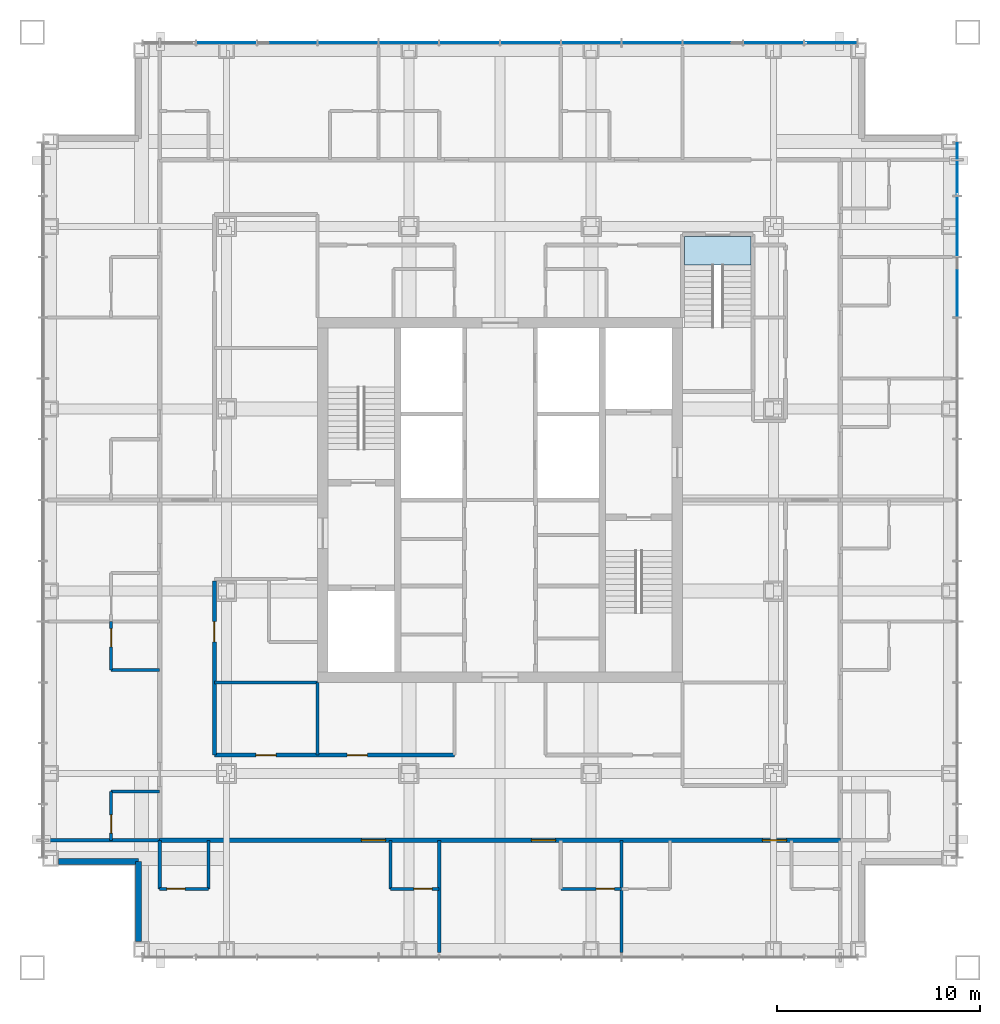
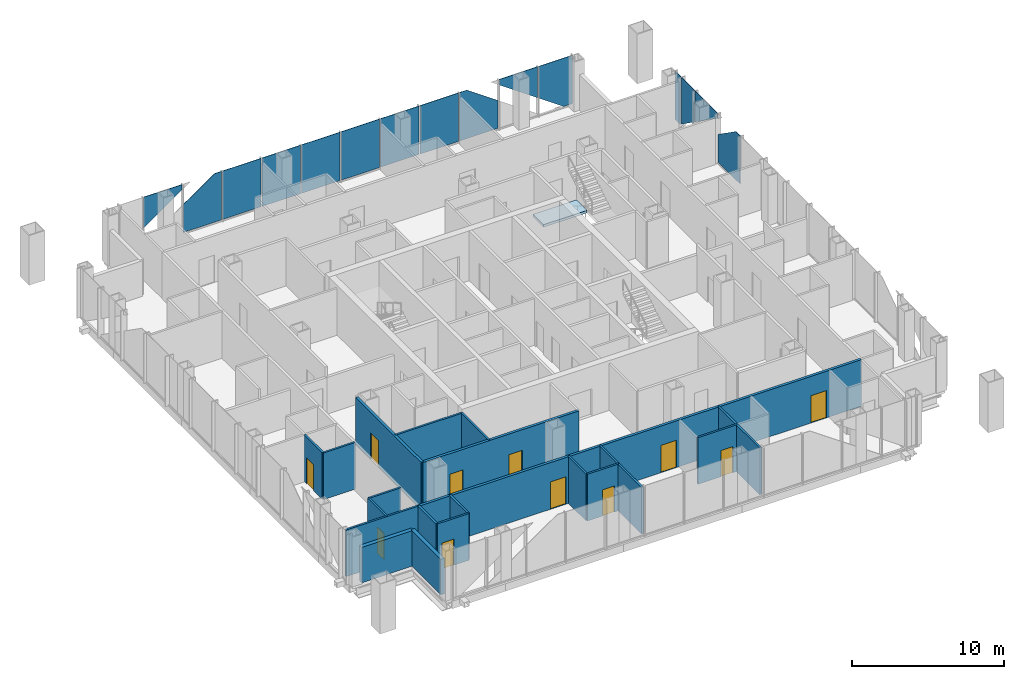
# One storey, part 6 of 15: 20 walls, 15 plates, 11 doors, 1 slab, 11 openings, 3 elements without a shape of their own.
"""IFC4 building model written with IfcOpenShell, lengths in metres."""

from ifc_helpers import new_model, si_unit, direction, frame, frame_2d, origin, origin_2d, place, context, subcontext, project, spatial, polyline, rectangle, outline, extrude, material, layer, layer_set, type_object, element, fill, aggregate, save


model = new_model("IFC4")

# Units and contexts
model_context = context("Model", 3, precision=1e-05, world=origin(), true_north=direction((0.0, 1.0)))
body_context = subcontext(model_context, "Body", "Model", "MODEL_VIEW")
ifc_project = project(units=[si_unit("LENGTHUNIT", "METRE"), si_unit("AREAUNIT", "SQUARE_METRE"), si_unit("VOLUMEUNIT", "CUBIC_METRE"), si_unit("PLANEANGLEUNIT", "RADIAN"), si_unit("MASSUNIT", "GRAM", prefix="KILO")], contexts=[model_context])

# Site, building, storey
site_placement = place(None, origin())
site = spatial("IfcSite", under=ifc_project, at=site_placement, CompositionType="ELEMENT")
building_placement = place(site_placement, origin())
building = spatial("IfcBuilding", under=site, at=building_placement, Name="Malebo Sky Hospital", CompositionType="ELEMENT")
storey_placement = place(building_placement, frame((0.0, 0.0, 181.0)))
storey = spatial("IfcBuildingStorey", under=building, at=storey_placement, Name="L43", CompositionType="ELEMENT", Elevation=181.0)

# Stair, slab
ifc_material_1 = material(Name="Concrete C40/50", Category="concrete")
stair_type = type_object("IfcStairType", Name="HALF-TURN STAIR 1400 R167", PredefinedType="HALF_TURN_STAIR", material=ifc_material_1)
stair_placement = place(storey_placement, origin())
stair = element("IfcStair", 1, at=stair_placement, inside=storey, type_object=stair_type, Name="Stair S3 L43 type ST1B", PredefinedType="HALF_TURN_STAIR")
ifc_layer_1 = layer(ifc_material_1, 0.199951171875)
ifc_layer_set_1 = layer_set([ifc_layer_1], Name="STAIR LANDING 200")
slab_type = type_object("IfcSlabType", Name="STAIR LANDING 200", PredefinedType="LANDING", material=ifc_layer_set_1)
slab_placement = place(storey_placement, frame((0.0, 0.0, -0.199951171875)))
slab = element("IfcSlab", 2, at=slab_placement, type_object=slab_type, Name="S3 landing 1", PredefinedType="LANDING", context=body_context, shape_type="SweptSolid", body=[
    extrude(outline(polyline([(69.10009765625, 73.60009765625), (72.39990234375, 73.60009765625), (72.39990234375, 75.0), (69.10009765625, 75.0), (69.10009765625, 73.60009765625)])), origin(), (0.0, 0.0, 1.0), 0.199951171875),
])
aggregate(stair, [slab])

# Curtain wall, plates
ifc_material_2 = material(Name="Anodised aluminium, natural silver", Category="aluminium")
ifc_layer_2 = layer(ifc_material_2, 0.25)
ifc_layer_set_2 = layer_set([ifc_layer_2], Name="WARD CURTAIN WALL NORTH AND SOUTH")
curtain_wall_type_1 = type_object("IfcCurtainWallType", Name="WARD CURTAIN WALL NORTH AND SOUTH", PredefinedType="NOTDEFINED", material=ifc_layer_set_2)
curtain_wall_1_placement = place(storey_placement, origin())
curtain_wall_1 = element("IfcCurtainWall", 3, at=curtain_wall_1_placement, inside=storey, type_object=curtain_wall_type_1, Name="NS curtain wall N", PredefinedType="NOTDEFINED")
ifc_material_3 = material(Name="Clear low-iron double glazing", Category="glass")
ifc_layer_3 = layer(ifc_material_3, 0.031982421875)
ifc_layer_set_3 = layer_set([ifc_layer_3], Name="VISION PANEL CLEAR 32")
plate_type = type_object("IfcPlateType", Name="VISION PANEL CLEAR 32", PredefinedType="CURTAIN_PANEL", material=ifc_layer_set_3)
plate_1_placement = place(storey_placement, frame((46.5, 84.574951171875, 1.5078125), z_axis=(0.0, 0.0, 1.0), x_axis=(1.0, 0.0, 0.0)))
plate_1 = element("IfcPlate", 4, at=plate_1_placement, type_object=plate_type, Name="Panel 3", PredefinedType="CURTAIN_PANEL", context=body_context, shape_type="SweptSolid", body=[
    extrude(outline(polyline([(-1.46240234375, 0.0), (1.46240234375, 2.054443359375), (1.46240234375, 2.482177734375), (-1.46240234375, 2.482177734375), (-1.46240234375, 0.0)])), frame((0.0, 0.01611328125, 0.0), z_axis=(0.0, -1.0, 0.0), x_axis=(1.0, 0.0, 0.0)), (0.0, 0.0, 1.0), 0.031982421875),
])
plate_2_placement = place(storey_placement, frame((49.5, 84.574951171875, 0.10009765625), z_axis=(0.0, 0.0, 1.0), x_axis=(1.0, 0.0, 0.0)))
plate_2 = element("IfcPlate", 5, at=plate_2_placement, type_object=plate_type, Name="Panel 4", PredefinedType="CURTAIN_PANEL", context=body_context, shape_type="SweptSolid", body=[
    extrude(outline(polyline([(-1.46240234375, 0.0), (1.46240234375, 0.0), (1.46240234375, 3.889892578125), (0.900146484375, 3.889892578125), (-1.46240234375, 2.230712890625), (-1.46240234375, 0.0)])), frame((0.0, 0.01611328125, 0.0), z_axis=(0.0, -1.0, 0.0), x_axis=(1.0, 0.0, 0.0)), (0.0, 0.0, 1.0), 0.031982421875),
])
plate_3_placement = place(storey_placement, frame((52.5, 84.574951171875, 0.10009765625), z_axis=(0.0, 0.0, 1.0), x_axis=(1.0, 0.0, 0.0)))
plate_3 = element("IfcPlate", 6, at=plate_3_placement, type_object=plate_type, Name="Panel 5", PredefinedType="CURTAIN_PANEL", context=body_context, shape_type="SweptSolid", body=[
    extrude(rectangle(XDim=2.925048828125, YDim=0.031982421875, at=origin_2d()), origin(), (0.0, 0.0, 1.0), 3.889892578125),
])
plate_4_placement = place(storey_placement, frame((55.5, 84.574951171875, 0.10009765625), z_axis=(0.0, 0.0, 1.0), x_axis=(1.0, 0.0, 0.0)))
plate_4 = element("IfcPlate", 7, at=plate_4_placement, type_object=plate_type, Name="Panel 6", PredefinedType="CURTAIN_PANEL", context=body_context, shape_type="SweptSolid", body=[
    extrude(rectangle(XDim=2.925048828125, YDim=0.031982421875, at=origin_2d()), origin(), (0.0, 0.0, 1.0), 3.889892578125),
])
plate_5_placement = place(storey_placement, frame((58.5, 84.574951171875, 0.10009765625), z_axis=(0.0, 0.0, 1.0), x_axis=(1.0, 0.0, 0.0)))
plate_5 = element("IfcPlate", 8, at=plate_5_placement, type_object=plate_type, Name="Panel 7", PredefinedType="CURTAIN_PANEL", context=body_context, shape_type="SweptSolid", body=[
    extrude(rectangle(XDim=2.925048828125, YDim=0.031982421875, at=origin_2d()), origin(), (0.0, 0.0, 1.0), 3.889892578125),
])
plate_6_placement = place(storey_placement, frame((61.5, 84.574951171875, 0.10009765625), z_axis=(0.0, 0.0, 1.0), x_axis=(1.0, 0.0, 0.0)))
plate_6 = element("IfcPlate", 9, at=plate_6_placement, type_object=plate_type, Name="Panel 8", PredefinedType="CURTAIN_PANEL", context=body_context, shape_type="SweptSolid", body=[
    extrude(rectangle(XDim=2.925048828125, YDim=0.031982421875, at=origin_2d()), origin(), (0.0, 0.0, 1.0), 3.889892578125),
])
plate_7_placement = place(storey_placement, frame((64.5, 84.574951171875, 0.10009765625), z_axis=(0.0, 0.0, 1.0), x_axis=(1.0, 0.0, 0.0)))
plate_7 = element("IfcPlate", 10, at=plate_7_placement, type_object=plate_type, Name="Panel 9", PredefinedType="CURTAIN_PANEL", context=body_context, shape_type="SweptSolid", body=[
    extrude(rectangle(XDim=2.925048828125, YDim=0.031982421875, at=origin_2d()), origin(), (0.0, 0.0, 1.0), 3.889892578125),
])
plate_8_placement = place(storey_placement, frame((67.5, 84.574951171875, 0.10009765625), z_axis=(0.0, 0.0, 1.0), x_axis=(1.0, 0.0, 0.0)))
plate_8 = element("IfcPlate", 11, at=plate_8_placement, type_object=plate_type, Name="Panel 10", PredefinedType="CURTAIN_PANEL", context=body_context, shape_type="SweptSolid", body=[
    extrude(rectangle(XDim=2.925048828125, YDim=0.031982421875, at=origin_2d()), origin(), (0.0, 0.0, 1.0), 3.889892578125),
])
plate_9_placement = place(storey_placement, frame((70.5, 84.574951171875, 0.10009765625), z_axis=(0.0, 0.0, 1.0), x_axis=(1.0, 0.0, 0.0)))
plate_9 = element("IfcPlate", 12, at=plate_9_placement, type_object=plate_type, Name="Panel 11", PredefinedType="CURTAIN_PANEL", context=body_context, shape_type="SweptSolid", body=[
    extrude(outline(polyline([(-1.46240234375, 0.0), (1.46240234375, 0.0), (1.46240234375, 2.230712890625), (-0.900146484375, 3.889892578125), (-1.46240234375, 3.889892578125), (-1.46240234375, 0.0)])), frame((0.0, 0.01611328125, 0.0), z_axis=(0.0, -1.0, 0.0), x_axis=(1.0, 0.0, 0.0)), (0.0, 0.0, 1.0), 0.031982421875),
])
plate_10_placement = place(storey_placement, frame((73.5, 84.574951171875, 1.5078125), z_axis=(0.0, 0.0, 1.0), x_axis=(1.0, 0.0, 0.0)))
plate_10 = element("IfcPlate", 13, at=plate_10_placement, type_object=plate_type, Name="Panel 12", PredefinedType="CURTAIN_PANEL", context=body_context, shape_type="SweptSolid", body=[
    extrude(outline(polyline([(1.46240234375, 0.0), (1.46240234375, 2.482177734375), (-1.46240234375, 2.482177734375), (-1.46240234375, 2.054443359375), (1.46240234375, 0.0)])), frame((0.0, 0.01611328125, 0.0), z_axis=(0.0, -1.0, 0.0), x_axis=(1.0, 0.0, 0.0)), (0.0, 0.0, 1.0), 0.031982421875),
])
plate_11_placement = place(storey_placement, frame((76.331298828125, 84.574951171875, 0.10009765625), z_axis=(0.0, 0.0, 1.0), x_axis=(1.0, 0.0, 0.0)))
plate_11 = element("IfcPlate", 14, at=plate_11_placement, type_object=plate_type, Name="Panel 13", PredefinedType="CURTAIN_PANEL", context=body_context, shape_type="SweptSolid", body=[
    extrude(outline(polyline([(0.635498046875, 0.0), (1.293701171875, 0.0), (1.293701171875, 3.889892578125), (-1.293701171875, 3.889892578125), (-1.293701171875, 1.35498046875), (0.635498046875, 0.0)])), frame((0.0, 0.01611328125, 0.0), z_axis=(0.0, -1.0, 0.0), x_axis=(1.0, 0.0, 0.0)), (0.0, 0.0, 1.0), 0.031982421875),
])
aggregate(curtain_wall_1, [plate_1, plate_2, plate_3, plate_4, plate_5, plate_6, plate_7, plate_8, plate_9, plate_10, plate_11])

ifc_layer_4 = layer(ifc_material_2, 0.25)
ifc_layer_set_4 = layer_set([ifc_layer_4], Name="WARD CURTAIN WALL EAST AND WEST")
curtain_wall_type_2 = type_object("IfcCurtainWallType", Name="WARD CURTAIN WALL EAST AND WEST", PredefinedType="NOTDEFINED", material=ifc_layer_set_4)
curtain_wall_2_placement = place(storey_placement, origin())
curtain_wall_2 = element("IfcCurtainWall", 15, at=curtain_wall_2_placement, inside=storey, type_object=curtain_wall_type_2, Name="EW curtain wall E", PredefinedType="NOTDEFINED")
plate_12_placement = place(storey_placement, frame((82.574951171875, 79.231201171875, 0.10009765625), z_axis=(0.0, 0.0, 1.0), x_axis=(0.0, -1.0, 0.0)))
plate_12 = element("IfcPlate", 16, at=plate_12_placement, type_object=plate_type, Name="Panel 1", PredefinedType="CURTAIN_PANEL", context=body_context, shape_type="SweptSolid", body=[
    extrude(outline(polyline([(-0.393798828125, 0.0), (0.264404296875, 0.0), (0.393798828125, 0.0908203125), (0.393798828125, 3.889892578125), (-0.393798828125, 3.889892578125), (-0.393798828125, 0.0)])), frame((0.0, 0.01611328125, 0.0), z_axis=(0.0, -1.0, 0.0), x_axis=(1.0, 0.0, 0.0)), (0.0, 0.0, 1.0), 0.031982421875),
])
plate_13_placement = place(storey_placement, frame((82.574951171875, 77.89990234375, 0.243408203125), z_axis=(0.0, 0.0, 1.0), x_axis=(0.0, -1.0, 0.0)))
plate_13 = element("IfcPlate", 17, at=plate_13_placement, type_object=plate_type, Name="Panel 2", PredefinedType="CURTAIN_PANEL", context=body_context, shape_type="SweptSolid", body=[
    extrude(outline(polyline([(-0.862548828125, 0.0), (0.862548828125, 1.211669921875), (0.862548828125, 3.74658203125), (-0.862548828125, 3.74658203125), (-0.862548828125, 0.0)])), frame((0.0, 0.01611328125, 0.0), z_axis=(0.0, -1.0, 0.0), x_axis=(1.0, 0.0, 0.0)), (0.0, 0.0, 1.0), 0.031982421875),
])
plate_14_placement = place(storey_placement, frame((82.574951171875, 75.5, 1.5078125), z_axis=(0.0, 0.0, 1.0), x_axis=(0.0, -1.0, 0.0)))
plate_14 = element("IfcPlate", 18, at=plate_14_placement, type_object=plate_type, Name="Panel 3", PredefinedType="CURTAIN_PANEL", context=body_context, shape_type="SweptSolid", body=[
    extrude(outline(polyline([(-1.46240234375, 0.0), (1.46240234375, 2.054443359375), (1.46240234375, 2.482177734375), (-1.46240234375, 2.482177734375), (-1.46240234375, 0.0)])), frame((0.0, 0.01611328125, 0.0), z_axis=(0.0, -1.0, 0.0), x_axis=(1.0, 0.0, 0.0)), (0.0, 0.0, 1.0), 0.031982421875),
])
plate_15_placement = place(storey_placement, frame((82.574951171875, 72.5, 0.10009765625), z_axis=(0.0, 0.0, 1.0), x_axis=(0.0, -1.0, 0.0)))
plate_15 = element("IfcPlate", 19, at=plate_15_placement, type_object=plate_type, Name="Panel 4", PredefinedType="CURTAIN_PANEL", context=body_context, shape_type="SweptSolid", body=[
    extrude(outline(polyline([(-1.46240234375, 0.0), (1.46240234375, 0.0), (1.46240234375, 3.889892578125), (0.900146484375, 3.889892578125), (-1.46240234375, 2.230712890625), (-1.46240234375, 0.0)])), frame((0.0, 0.01611328125, 0.0), z_axis=(0.0, -1.0, 0.0), x_axis=(1.0, 0.0, 0.0)), (0.0, 0.0, 1.0), 0.031982421875),
])
aggregate(curtain_wall_2, [plate_12, plate_13, plate_14, plate_15])

# Wall, opening, door
ifc_material_4 = material(Name="Gypsum board on steel studs", Category="steel")
ifc_layer_5 = layer(ifc_material_4, 0.199951171875)
ifc_layer_set_5 = layer_set([ifc_layer_5], Name="CORRIDOR WALL 200")
wall_type_1 = type_object("IfcWallType", Name="CORRIDOR WALL 200", PredefinedType="PARTITIONING", material=ifc_layer_set_5)
wall_1_placement = place(storey_placement, frame((45.89990234375, 49.39990234375, 0.0), z_axis=(0.0, 0.0, 1.0), x_axis=(0.0, 1.0, 0.0)))
wall_1 = element("IfcWall", 20, at=wall_1_placement, inside=storey, type_object=wall_type_1, Name="Corridor Wall 200 WCI1", PredefinedType="PARTITIONING", context=body_context, shape_type="SweptSolid", body=[
    extrude(rectangle(XDim=8.60009765625, YDim=0.199951171875, at=frame_2d((4.300048828125, 0.0))), origin(), (0.0, 0.0, 1.0), 3.75),
])
opening_1_placement = place(wall_1_placement, frame((5.60009765625, 0.0, 0.0)))
opening_1 = element("IfcOpeningElement", 21, at=opening_1_placement, cuts=wall_1, Name="Opening D03", PredefinedType="OPENING", context=body_context, shape_type="SweptSolid", body=[
    extrude(rectangle(XDim=1.0, YDim=2.10009765625, at=frame_2d((0.5, 1.050048828125))), frame((0.0, 0.10986328125, 0.0), z_axis=(0.0, -1.0, 0.0), x_axis=(1.0, 0.0, 0.0)), (0.0, 0.0, 1.0), 0.219970703125),
])
ifc_material_5 = material(Name="Hardwood-faced door leaf in steel frame", Category="steel")
door_type_1 = type_object("IfcDoorType", Name="ROOM DOOR 1000", OperationType="SINGLE_SWING_LEFT", PredefinedType="DOOR", material=ifc_material_5)
door_1_placement = place(opening_1_placement, origin())
door_1 = element("IfcDoor", 22, at=door_1_placement, inside=storey, type_object=door_type_1, Name="Linen store door", OperationType="SINGLE_SWING_LEFT", OverallHeight=2.10009765625, OverallWidth=1.0, PredefinedType="DOOR", context=body_context, shape_type="SweptSolid", body=[
    extrude(rectangle(XDim=1.0, YDim=2.10009765625, at=frame_2d((0.5, 1.050048828125))), frame((0.0, 0.02490234375, 0.0), z_axis=(0.0, -1.0, 0.0), x_axis=(1.0, 0.0, 0.0)), (0.0, 0.0, 1.0), 0.050048828125),
])
fill(opening_1, door_1)

# Wall, openings, doors
wall_2_placement = place(storey_placement, frame((76.800048828125, 45.199951171875, 0.0), z_axis=(0.0, 0.0, 1.0), x_axis=(-1.0, 0.0, 0.0)))
wall_2 = element("IfcWall", 23, at=wall_2_placement, inside=storey, type_object=wall_type_1, Name="Corridor Wall 200 SCO", PredefinedType="PARTITIONING", context=body_context, shape_type="SweptSolid", body=[
    extrude(rectangle(XDim=33.60009765625, YDim=0.199951171875, at=frame_2d((16.800048828125, 0.0))), origin(), (0.0, 0.0, 1.0), 3.75),
])
opening_2_placement = place(wall_2_placement, frame((2.64990234375, 0.0, 0.0)))
opening_2 = element("IfcOpeningElement", 24, at=opening_2_placement, cuts=wall_2, Name="Opening D01", PredefinedType="OPENING", context=body_context, shape_type="SweptSolid", body=[
    extrude(rectangle(XDim=1.199951171875, YDim=2.199951171875, at=frame_2d((0.60009765625, 1.10009765625))), frame((0.0, 0.10986328125, 0.0), z_axis=(0.0, -1.0, 0.0), x_axis=(1.0, 0.0, 0.0)), (0.0, 0.0, 1.0), 0.219970703125),
])
opening_3_placement = place(wall_2_placement, frame((14.050048828125, 0.0, 0.0)))
opening_3 = element("IfcOpeningElement", 25, at=opening_3_placement, cuts=wall_2, Name="Opening D01", PredefinedType="OPENING", context=body_context, shape_type="SweptSolid", body=[
    extrude(rectangle(XDim=1.199951171875, YDim=2.199951171875, at=frame_2d((0.60009765625, 1.10009765625))), frame((0.0, 0.10986328125, 0.0), z_axis=(0.0, -1.0, 0.0), x_axis=(1.0, 0.0, 0.0)), (0.0, 0.0, 1.0), 0.219970703125),
])
opening_4_placement = place(wall_2_placement, frame((22.449951171875, 0.0, 0.0)))
opening_4 = element("IfcOpeningElement", 26, at=opening_4_placement, cuts=wall_2, Name="Opening D01", PredefinedType="OPENING", context=body_context, shape_type="SweptSolid", body=[
    extrude(rectangle(XDim=1.199951171875, YDim=2.199951171875, at=frame_2d((0.60009765625, 1.10009765625))), frame((0.0, 0.10986328125, 0.0), z_axis=(0.0, -1.0, 0.0), x_axis=(1.0, 0.0, 0.0)), (0.0, 0.0, 1.0), 0.219970703125),
])
door_type_2 = type_object("IfcDoorType", Name="BED DOOR 1200", OperationType="SINGLE_SWING_LEFT", PredefinedType="DOOR", material=ifc_material_5)
door_2_placement = place(opening_2_placement, origin())
door_2 = element("IfcDoor", 27, at=door_2_placement, inside=storey, type_object=door_type_2, Name="Four-bed bay door", OperationType="SINGLE_SWING_LEFT", OverallHeight=2.199951171875, OverallWidth=1.199951171875, PredefinedType="DOOR", context=body_context, shape_type="SweptSolid", body=[
    extrude(rectangle(XDim=1.199951171875, YDim=2.199951171875, at=frame_2d((0.60009765625, 1.10009765625))), frame((0.0, 0.02490234375, 0.0), z_axis=(0.0, -1.0, 0.0), x_axis=(1.0, 0.0, 0.0)), (0.0, 0.0, 1.0), 0.050048828125),
])
fill(opening_2, door_2)
door_3_placement = place(opening_3_placement, origin())
door_3 = element("IfcDoor", 28, at=door_3_placement, inside=storey, type_object=door_type_2, Name="Two-bed room door", OperationType="SINGLE_SWING_LEFT", OverallHeight=2.199951171875, OverallWidth=1.199951171875, PredefinedType="DOOR", context=body_context, shape_type="SweptSolid", body=[
    extrude(rectangle(XDim=1.199951171875, YDim=2.199951171875, at=frame_2d((0.60009765625, 1.10009765625))), frame((0.0, 0.02490234375, 0.0), z_axis=(0.0, -1.0, 0.0), x_axis=(1.0, 0.0, 0.0)), (0.0, 0.0, 1.0), 0.050048828125),
])
fill(opening_3, door_3)
door_4_placement = place(opening_4_placement, origin())
door_4 = element("IfcDoor", 29, at=door_4_placement, inside=storey, type_object=door_type_2, Name="Four-bed bay door", OperationType="SINGLE_SWING_LEFT", OverallHeight=2.199951171875, OverallWidth=1.199951171875, PredefinedType="DOOR", context=body_context, shape_type="SweptSolid", body=[
    extrude(rectangle(XDim=1.199951171875, YDim=2.199951171875, at=frame_2d((0.60009765625, 1.10009765625))), frame((0.0, 0.02490234375, 0.0), z_axis=(0.0, -1.0, 0.0), x_axis=(1.0, 0.0, 0.0)), (0.0, 0.0, 1.0), 0.050048828125),
])
fill(opening_4, door_4)

wall_3_placement = place(storey_placement, frame((57.75, 49.39990234375, 0.0), z_axis=(0.0, 0.0, 1.0), x_axis=(-1.0, 0.0, 0.0)))
wall_3 = element("IfcWall", 30, at=wall_3_placement, inside=storey, type_object=wall_type_1, Name="Corridor Wall 200 SCI2", PredefinedType="PARTITIONING", context=body_context, shape_type="SweptSolid", body=[
    extrude(rectangle(XDim=11.85009765625, YDim=0.199951171875, at=frame_2d((5.925048828125, 0.0))), origin(), (0.0, 0.0, 1.0), 3.75),
])
opening_5_placement = place(wall_3_placement, frame((4.300048828125, 0.0, 0.0)))
opening_5 = element("IfcOpeningElement", 31, at=opening_5_placement, cuts=wall_3, Name="Opening D03", PredefinedType="OPENING", context=body_context, shape_type="SweptSolid", body=[
    extrude(rectangle(XDim=1.0, YDim=2.10009765625, at=frame_2d((0.5, 1.050048828125))), frame((0.0, 0.10986328125, 0.0), z_axis=(0.0, -1.0, 0.0), x_axis=(1.0, 0.0, 0.0)), (0.0, 0.0, 1.0), 0.219970703125),
])
opening_6_placement = place(wall_3_placement, frame((8.800048828125, 0.0, 0.0)))
opening_6 = element("IfcOpeningElement", 32, at=opening_6_placement, cuts=wall_3, Name="Opening D03", PredefinedType="OPENING", context=body_context, shape_type="SweptSolid", body=[
    extrude(rectangle(XDim=1.0, YDim=2.10009765625, at=frame_2d((0.5, 1.050048828125))), frame((0.0, 0.10986328125, 0.0), z_axis=(0.0, -1.0, 0.0), x_axis=(1.0, 0.0, 0.0)), (0.0, 0.0, 1.0), 0.219970703125),
])
door_5_placement = place(opening_5_placement, origin())
door_5 = element("IfcDoor", 33, at=door_5_placement, inside=storey, type_object=door_type_1, Name="Antenatal education room door", OperationType="SINGLE_SWING_RIGHT", OverallHeight=2.10009765625, OverallWidth=1.0, PredefinedType="DOOR", context=body_context, shape_type="SweptSolid", body=[
    extrude(rectangle(XDim=1.0, YDim=2.10009765625, at=frame_2d((0.5, 1.050048828125))), frame((0.0, 0.02490234375, 0.0), z_axis=(0.0, -1.0, 0.0), x_axis=(1.0, 0.0, 0.0)), (0.0, 0.0, 1.0), 0.050048828125),
])
fill(opening_5, door_5)
door_6_placement = place(opening_6_placement, origin())
door_6 = element("IfcDoor", 34, at=door_6_placement, inside=storey, type_object=door_type_1, Name="Dirty utility room door", OperationType="SINGLE_SWING_RIGHT", OverallHeight=2.10009765625, OverallWidth=1.0, PredefinedType="DOOR", context=body_context, shape_type="SweptSolid", body=[
    extrude(rectangle(XDim=1.0, YDim=2.10009765625, at=frame_2d((0.5, 1.050048828125))), frame((0.0, 0.02490234375, 0.0), z_axis=(0.0, -1.0, 0.0), x_axis=(1.0, 0.0, 0.0)), (0.0, 0.0, 1.0), 0.050048828125),
])
fill(opening_6, door_6)

# Walls
ifc_material_6 = material(Name="Anodised aluminium rainscreen on steel framing", Category="steel")
ifc_layer_6 = layer(ifc_material_6, 0.300048828125)
ifc_layer_set_6 = layer_set([ifc_layer_6], Name="NOTCH RAINSCREEN WALL 300")
wall_type_2 = type_object("IfcWallType", Name="NOTCH RAINSCREEN WALL 300", PredefinedType="ELEMENTEDWALL", material=ifc_layer_set_6)
for number, where, z_axis, x_axis, name in (
    (35, (42.14990234375, 40.199951171875, 0.0), (0.0, 0.0, 1.0), (0.0, 1.0, 0.0), "Notch rainscreen wall S1 L43"),
    (36, (42.14990234375, 44.14990234375, 0.0), (0.0, 0.0, 1.0), (-1.0, 0.0, 0.0), "Notch rainscreen wall S2 L43"),
):
    element("IfcWall", number, at=place(storey_placement, frame(where, z_axis=z_axis, x_axis=x_axis)), inside=storey, type_object=wall_type_2, Name=name, PredefinedType="ELEMENTEDWALL", context=body_context, shape_type="SweptSolid", body=[
        extrude(rectangle(XDim=3.949951171875, YDim=0.300048828125, at=frame_2d((1.97509765625, 0.0))), origin(), (0.0, 0.0, 1.0), 2.85009765625),
    ])
ifc_layer_7 = layer(ifc_material_4, 0.14990234375)
ifc_layer_set_7 = layer_set([ifc_layer_7], Name="PARTITION 150")
wall_type_3 = type_object("IfcWallType", Name="PARTITION 150", PredefinedType="PARTITIONING", material=ifc_layer_set_7)
wall_4_placement = place(storey_placement, frame((43.199951171875, 45.199951171875, 0.0), z_axis=(0.0, 0.0, 1.0), x_axis=(-1.0, 0.0, 0.0)))
element("IfcWall", 37, at=wall_4_placement, inside=storey, type_object=wall_type_3, Name="Partition 150 WP0", PredefinedType="PARTITIONING", context=body_context, shape_type="SweptSolid", body=[
    extrude(rectangle(XDim=5.550048828125, YDim=0.14990234375, at=frame_2d((2.77490234375, 0.0))), origin(), (0.0, 0.0, 1.0), 3.75),
])

# Wall, opening, door
wall_5_placement = place(storey_placement, frame((40.800048828125, 45.199951171875, 0.0), z_axis=(0.0, 0.0, 1.0), x_axis=(0.0, 1.0, 0.0)))
wall_5 = element("IfcWall", 38, at=wall_5_placement, inside=storey, type_object=wall_type_3, Name="Partition 150 WE0F", PredefinedType="PARTITIONING", context=body_context, shape_type="SweptSolid", body=[
    extrude(rectangle(XDim=2.400146484375, YDim=0.14990234375, at=frame_2d((1.2001953125, 0.0))), origin(), (0.0, 0.0, 1.0), 3.75),
])
opening_7_placement = place(wall_5_placement, frame((0.35009765625, 0.0, 0.0)))
opening_7 = element("IfcOpeningElement", 39, at=opening_7_placement, cuts=wall_5, Name="Opening D02", PredefinedType="OPENING", context=body_context, shape_type="SweptSolid", body=[
    extrude(rectangle(XDim=0.89990234375, YDim=2.10009765625, at=frame_2d((0.449951171875, 1.050048828125))), frame((0.0, 0.0849609375, 0.0), z_axis=(0.0, -1.0, 0.0), x_axis=(1.0, 0.0, 0.0)), (0.0, 0.0, 1.0), 0.169921875),
])
door_type_3 = type_object("IfcDoorType", Name="EN-SUITE DOOR 900", OperationType="SINGLE_SWING_LEFT", PredefinedType="DOOR", material=ifc_material_5)
door_7_placement = place(opening_7_placement, origin())
door_7 = element("IfcDoor", 40, at=door_7_placement, inside=storey, type_object=door_type_3, Name="En-suite door", OperationType="SINGLE_SWING_LEFT", OverallHeight=2.10009765625, OverallWidth=0.89990234375, PredefinedType="DOOR", context=body_context, shape_type="SweptSolid", body=[
    extrude(rectangle(XDim=0.89990234375, YDim=2.10009765625, at=frame_2d((0.449951171875, 1.050048828125))), frame((0.0, 0.02490234375, 0.0), z_axis=(0.0, -1.0, 0.0), x_axis=(1.0, 0.0, 0.0)), (0.0, 0.0, 1.0), 0.050048828125),
])
fill(opening_7, door_7)

# Wall
wall_6_placement = place(storey_placement, frame((43.199951171875, 47.60009765625, 0.0), z_axis=(0.0, 0.0, 1.0), x_axis=(-1.0, 0.0, 0.0)))
element("IfcWall", 41, at=wall_6_placement, inside=storey, type_object=wall_type_3, Name="Partition 150 WE0S", PredefinedType="PARTITIONING", context=body_context, shape_type="SweptSolid", body=[
    extrude(rectangle(XDim=2.39990234375, YDim=0.14990234375, at=frame_2d((1.199951171875, 0.0))), origin(), (0.0, 0.0, 1.0), 3.75),
])

# Wall, opening, door
wall_7_placement = place(storey_placement, frame((40.800048828125, 53.60009765625, 0.0), z_axis=(0.0, 0.0, 1.0), x_axis=(0.0, 1.0, 0.0)))
wall_7 = element("IfcWall", 42, at=wall_7_placement, inside=storey, type_object=wall_type_3, Name="Partition 150 WG0F", PredefinedType="PARTITIONING", context=body_context, shape_type="SweptSolid", body=[
    extrude(rectangle(XDim=2.39990234375, YDim=0.14990234375, at=frame_2d((1.199951171875, 0.0))), origin(), (0.0, 0.0, 1.0), 3.75),
])
opening_8_placement = place(wall_7_placement, frame((1.14990234375, 0.0, 0.0)))
opening_8 = element("IfcOpeningElement", 43, at=opening_8_placement, cuts=wall_7, Name="Opening D02", PredefinedType="OPENING", context=body_context, shape_type="SweptSolid", body=[
    extrude(rectangle(XDim=0.89990234375, YDim=2.10009765625, at=frame_2d((0.449951171875, 1.050048828125))), frame((0.0, 0.0849609375, 0.0), z_axis=(0.0, -1.0, 0.0), x_axis=(1.0, 0.0, 0.0)), (0.0, 0.0, 1.0), 0.169921875),
])
door_8_placement = place(opening_8_placement, origin())
door_8 = element("IfcDoor", 44, at=door_8_placement, inside=storey, type_object=door_type_3, Name="En-suite door", OperationType="SINGLE_SWING_RIGHT", OverallHeight=2.10009765625, OverallWidth=0.89990234375, PredefinedType="DOOR", context=body_context, shape_type="SweptSolid", body=[
    extrude(rectangle(XDim=0.89990234375, YDim=2.10009765625, at=frame_2d((0.449951171875, 1.050048828125))), frame((0.0, 0.02490234375, 0.0), z_axis=(0.0, -1.0, 0.0), x_axis=(1.0, 0.0, 0.0)), (0.0, 0.0, 1.0), 0.050048828125),
])
fill(opening_8, door_8)

# Walls
wall_8_placement = place(storey_placement, frame((43.199951171875, 53.60009765625, 0.0), z_axis=(0.0, 0.0, 1.0), x_axis=(-1.0, 0.0, 0.0)))
element("IfcWall", 45, at=wall_8_placement, inside=storey, type_object=wall_type_3, Name="Partition 150 WG0S", PredefinedType="PARTITIONING", context=body_context, shape_type="SweptSolid", body=[
    extrude(rectangle(XDim=2.39990234375, YDim=0.14990234375, at=frame_2d((1.199951171875, 0.0))), origin(), (0.0, 0.0, 1.0), 3.75),
])
wall_9_placement = place(storey_placement, frame((51.0, 53.0, 0.0), z_axis=(0.0, 0.0, 1.0), x_axis=(-1.0, 0.0, 0.0)))
element("IfcWall", 46, at=wall_9_placement, inside=storey, type_object=wall_type_3, Name="Partition 150 WSP0", PredefinedType="PARTITIONING", context=body_context, shape_type="SweptSolid", body=[
    extrude(rectangle(XDim=5.10009765625, YDim=0.14990234375, at=frame_2d((2.550048828125, 0.0))), origin(), (0.0, 0.0, 1.0), 3.75),
])
for number, where, z_axis, x_axis, name in (
    (47, (66.0, 45.199951171875, 0.0), (0.0, 0.0, 1.0), (0.0, -1.0, 0.0), "Partition 150 SP-6.0"),
    (48, (57.0, 45.199951171875, 0.0), (0.0, 0.0, 1.0), (0.0, -1.0, 0.0), "Partition 150 SP+3.0"),
):
    element("IfcWall", number, at=place(storey_placement, frame(where, z_axis=z_axis, x_axis=x_axis)), inside=storey, type_object=wall_type_3, Name=name, PredefinedType="PARTITIONING", context=body_context, shape_type="SweptSolid", body=[
        extrude(rectangle(XDim=5.550048828125, YDim=0.14990234375, at=frame_2d((2.77490234375, 0.0))), origin(), (0.0, 0.0, 1.0), 3.75),
    ])

# Wall, opening, door
wall_10_placement = place(storey_placement, frame((66.0, 42.800048828125, 0.0), z_axis=(0.0, 0.0, 1.0), x_axis=(-1.0, 0.0, 0.0)))
wall_10 = element("IfcWall", 49, at=wall_10_placement, inside=storey, type_object=wall_type_3, Name="Partition 150 SE1F", PredefinedType="PARTITIONING", context=body_context, shape_type="SweptSolid", body=[
    extrude(rectangle(XDim=3.0, YDim=0.14990234375, at=frame_2d((1.5, 0.0))), origin(), (0.0, 0.0, 1.0), 3.75),
])
opening_9_placement = place(wall_10_placement, frame((0.35009765625, 0.0, 0.0)))
opening_9 = element("IfcOpeningElement", 50, at=opening_9_placement, cuts=wall_10, Name="Opening D02", PredefinedType="OPENING", context=body_context, shape_type="SweptSolid", body=[
    extrude(rectangle(XDim=0.89990234375, YDim=2.10009765625, at=frame_2d((0.449951171875, 1.050048828125))), frame((0.0, 0.0849609375, 0.0), z_axis=(0.0, -1.0, 0.0), x_axis=(1.0, 0.0, 0.0)), (0.0, 0.0, 1.0), 0.169921875),
])
door_9_placement = place(opening_9_placement, origin())
door_9 = element("IfcDoor", 51, at=door_9_placement, inside=storey, type_object=door_type_3, Name="En-suite door", OperationType="SINGLE_SWING_LEFT", OverallHeight=2.10009765625, OverallWidth=0.89990234375, PredefinedType="DOOR", context=body_context, shape_type="SweptSolid", body=[
    extrude(rectangle(XDim=0.89990234375, YDim=2.10009765625, at=frame_2d((0.449951171875, 1.050048828125))), frame((0.0, 0.02490234375, 0.0), z_axis=(0.0, -1.0, 0.0), x_axis=(1.0, 0.0, 0.0)), (0.0, 0.0, 1.0), 0.050048828125),
])
fill(opening_9, door_9)

wall_11_placement = place(storey_placement, frame((57.0, 42.800048828125, 0.0), z_axis=(0.0, 0.0, 1.0), x_axis=(-1.0, 0.0, 0.0)))
wall_11 = element("IfcWall", 52, at=wall_11_placement, inside=storey, type_object=wall_type_3, Name="Partition 150 SE2F", PredefinedType="PARTITIONING", context=body_context, shape_type="SweptSolid", body=[
    extrude(rectangle(XDim=2.39990234375, YDim=0.14990234375, at=frame_2d((1.199951171875, 0.0))), origin(), (0.0, 0.0, 1.0), 3.75),
])
opening_10_placement = place(wall_11_placement, frame((0.35009765625, 0.0, 0.0)))
opening_10 = element("IfcOpeningElement", 53, at=opening_10_placement, cuts=wall_11, Name="Opening D02", PredefinedType="OPENING", context=body_context, shape_type="SweptSolid", body=[
    extrude(rectangle(XDim=0.89990234375, YDim=2.10009765625, at=frame_2d((0.449951171875, 1.050048828125))), frame((0.0, 0.0849609375, 0.0), z_axis=(0.0, -1.0, 0.0), x_axis=(1.0, 0.0, 0.0)), (0.0, 0.0, 1.0), 0.169921875),
])
door_10_placement = place(opening_10_placement, origin())
door_10 = element("IfcDoor", 54, at=door_10_placement, inside=storey, type_object=door_type_3, Name="En-suite door", OperationType="SINGLE_SWING_LEFT", OverallHeight=2.10009765625, OverallWidth=0.89990234375, PredefinedType="DOOR", context=body_context, shape_type="SweptSolid", body=[
    extrude(rectangle(XDim=0.89990234375, YDim=2.10009765625, at=frame_2d((0.449951171875, 1.050048828125))), frame((0.0, 0.02490234375, 0.0), z_axis=(0.0, -1.0, 0.0), x_axis=(1.0, 0.0, 0.0)), (0.0, 0.0, 1.0), 0.050048828125),
])
fill(opening_10, door_10)

# Wall
wall_12_placement = place(storey_placement, frame((54.60009765625, 45.199951171875, 0.0), z_axis=(0.0, 0.0, 1.0), x_axis=(0.0, -1.0, 0.0)))
element("IfcWall", 55, at=wall_12_placement, inside=storey, type_object=wall_type_3, Name="Partition 150 SE2S", PredefinedType="PARTITIONING", context=body_context, shape_type="SweptSolid", body=[
    extrude(rectangle(XDim=2.39990234375, YDim=0.14990234375, at=frame_2d((1.199951171875, 0.0))), origin(), (0.0, 0.0, 1.0), 3.75),
])

# Wall, opening, door
wall_13_placement = place(storey_placement, frame((45.60009765625, 42.800048828125, 0.0), z_axis=(0.0, 0.0, 1.0), x_axis=(-1.0, 0.0, 0.0)))
wall_13 = element("IfcWall", 56, at=wall_13_placement, inside=storey, type_object=wall_type_3, Name="Partition 150 SG2F", PredefinedType="PARTITIONING", context=body_context, shape_type="SweptSolid", body=[
    extrude(rectangle(XDim=2.400146484375, YDim=0.14990234375, at=frame_2d((1.2001953125, 0.0))), origin(), (0.0, 0.0, 1.0), 3.75),
])
opening_11_placement = place(wall_13_placement, frame((1.14990234375, 0.0, 0.0)))
opening_11 = element("IfcOpeningElement", 57, at=opening_11_placement, cuts=wall_13, Name="Opening D02", PredefinedType="OPENING", context=body_context, shape_type="SweptSolid", body=[
    extrude(rectangle(XDim=0.89990234375, YDim=2.10009765625, at=frame_2d((0.449951171875, 1.050048828125))), frame((0.0, 0.0849609375, 0.0), z_axis=(0.0, -1.0, 0.0), x_axis=(1.0, 0.0, 0.0)), (0.0, 0.0, 1.0), 0.169921875),
])
door_11_placement = place(opening_11_placement, origin())
door_11 = element("IfcDoor", 58, at=door_11_placement, inside=storey, type_object=door_type_3, Name="En-suite door", OperationType="SINGLE_SWING_RIGHT", OverallHeight=2.10009765625, OverallWidth=0.89990234375, PredefinedType="DOOR", context=body_context, shape_type="SweptSolid", body=[
    extrude(rectangle(XDim=0.89990234375, YDim=2.10009765625, at=frame_2d((0.449951171875, 1.050048828125))), frame((0.0, 0.02490234375, 0.0), z_axis=(0.0, -1.0, 0.0), x_axis=(1.0, 0.0, 0.0)), (0.0, 0.0, 1.0), 0.050048828125),
])
fill(opening_11, door_11)

# Walls
for number, where, z_axis, x_axis, name in (
    (59, (45.60009765625, 45.199951171875, 0.0), (0.0, 0.0, 1.0), (0.0, -1.0, 0.0), "Partition 150 SG2S"),
    (60, (43.199951171875, 45.199951171875, 0.0), (0.0, 0.0, 1.0), (0.0, -1.0, 0.0), "Partition 150 SEZ"),
):
    element("IfcWall", number, at=place(storey_placement, frame(where, z_axis=z_axis, x_axis=x_axis)), inside=storey, type_object=wall_type_3, Name=name, PredefinedType="PARTITIONING", context=body_context, shape_type="SweptSolid", body=[
        extrude(rectangle(XDim=2.39990234375, YDim=0.14990234375, at=frame_2d((1.199951171875, 0.0))), origin(), (0.0, 0.0, 1.0), 3.75),
    ])
wall_14_placement = place(storey_placement, frame((51.0, 53.0, 0.0), z_axis=(0.0, 0.0, 1.0), x_axis=(0.0, -1.0, 0.0)))
element("IfcWall", 61, at=wall_14_placement, inside=storey, type_object=wall_type_3, Name="Partition 150 SSP+9.0", PredefinedType="PARTITIONING", context=body_context, shape_type="SweptSolid", body=[
    extrude(rectangle(XDim=3.60009765625, YDim=0.14990234375, at=frame_2d((1.800048828125, 0.0))), origin(), (0.0, 0.0, 1.0), 3.75),
])

save(model, "model.ifc")
